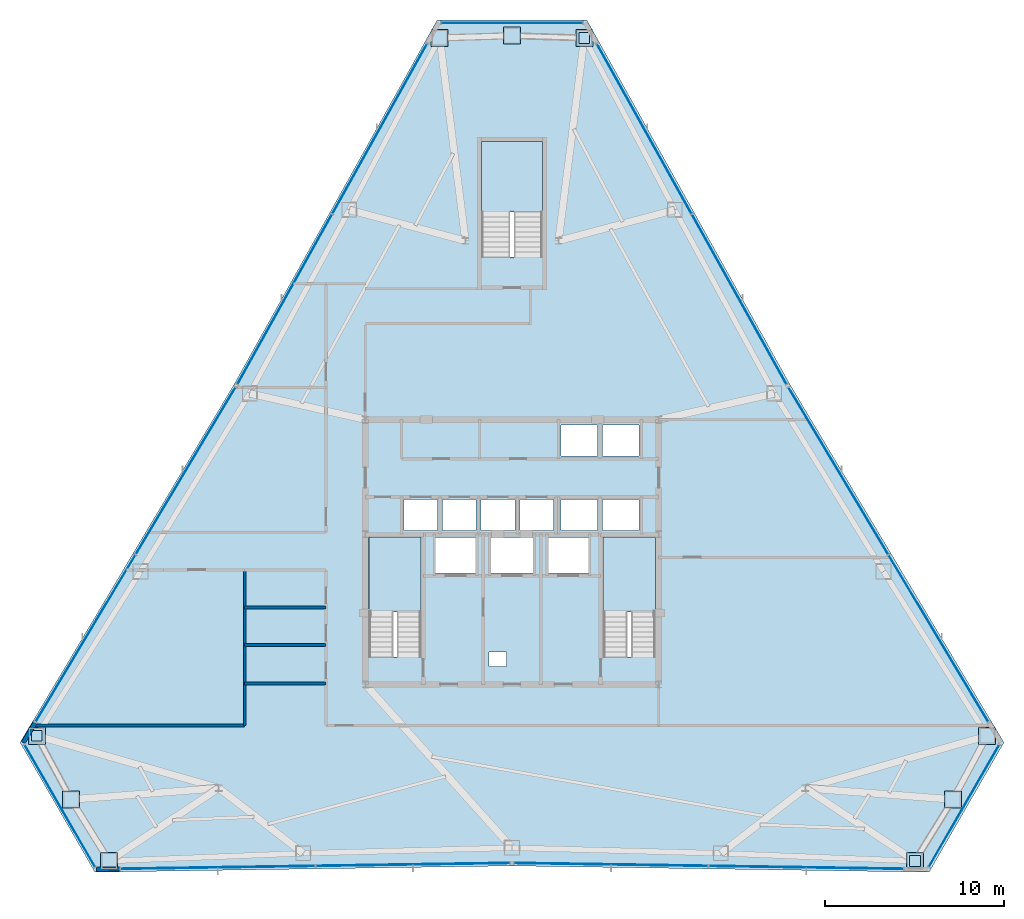
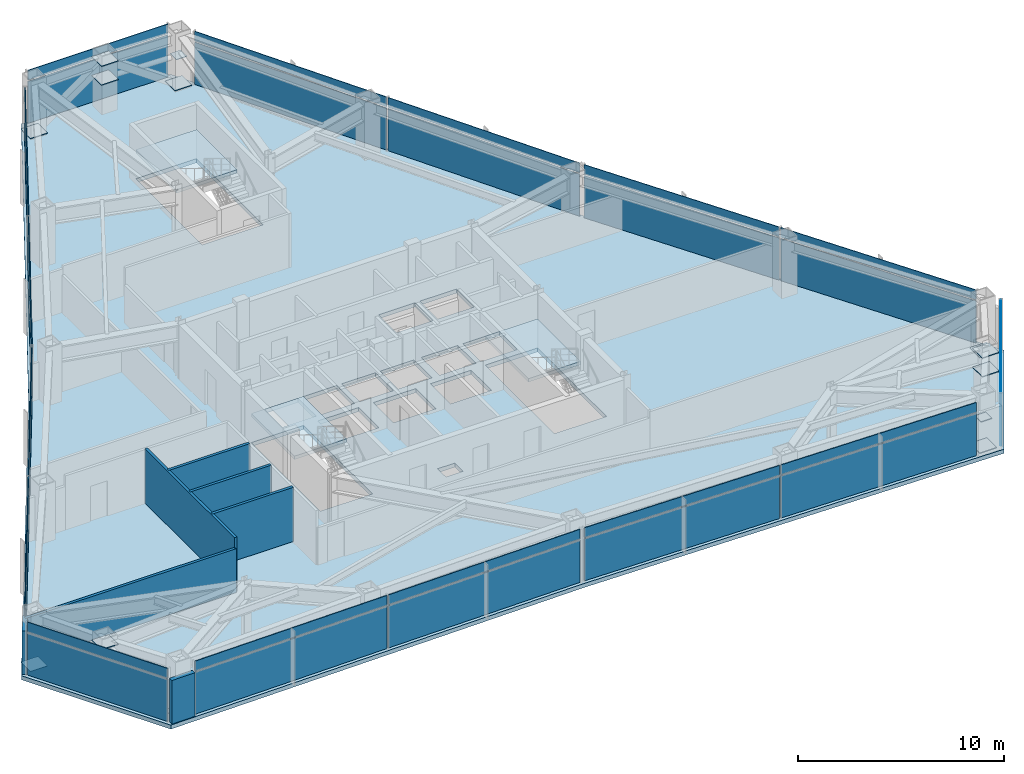
# One storey, part 9 of 13: 45 plates, 7 walls, 4 slabs, 12 elements without a shape of their own.
"""IFC4 building model written with IfcOpenShell, lengths in metres."""

from ifc_helpers import new_model, si_unit, direction, frame, frame_2d, origin, origin_2d, place, context, subcontext, project, spatial, polyline, rectangle, outline, extrude, source, transform, mapped, material, layer, layer_set, type_object, type_shapes, element, aggregate, save


model = new_model("IFC4")

# Units and contexts
model_context = context("Model", 3, precision=1e-05, world=origin(), true_north=direction((0.0, 1.0)))
body_context = subcontext(model_context, "Body", "Model", "MODEL_VIEW")
ifc_project = project(units=[si_unit("LENGTHUNIT", "METRE"), si_unit("AREAUNIT", "SQUARE_METRE"), si_unit("VOLUMEUNIT", "CUBIC_METRE"), si_unit("PLANEANGLEUNIT", "RADIAN"), si_unit("MASSUNIT", "GRAM", prefix="KILO")], contexts=[model_context])

# Site, building, storey
site_placement = place(None, origin())
site = spatial("IfcSite", under=ifc_project, at=site_placement, CompositionType="ELEMENT")
building_placement = place(site_placement, origin())
building = spatial("IfcBuilding", under=site, at=building_placement, Name="Varakhsha Concourse Tower", CompositionType="ELEMENT")
storey_placement = place(building_placement, frame((0.0, 0.0, 147.050048828125)))
storey = spatial("IfcBuildingStorey", under=building, at=storey_placement, Name="L42", CompositionType="ELEMENT", Elevation=147.050048828125)

# Slab
ifc_material_1 = material(Name="Concrete fc 45 MPa", Category="concrete")
ifc_layer_1 = layer(ifc_material_1, 0.239990234375, Name="SL-FLR-240")
ifc_layer_set_1 = layer_set([ifc_layer_1], Name="Concrete fc 45 MPa")
slab_type_1 = type_object("IfcSlabType", Name="SL-FLR-240", PredefinedType="FLOOR", material=ifc_layer_set_1)
slab_1_placement = place(storey_placement, frame((0.0, 0.0, -0.239990234375)))
element("IfcSlab", 1, at=slab_1_placement, inside=storey, type_object=slab_type_1, Name="L42 Composite Structural Slab", PredefinedType="FLOOR", context=body_context, shape_type="SweptSolid", body=[
    extrude(outline(polyline([(44.185791015625, 53.55029296875), (35.814208984375, 53.55029296875), (24.4560546875, 33.17431640625), (12.4892578125, 13.14990234375), (16.6748046875, 5.89990234375), (40.0, 6.25146484375), (63.3251953125, 5.89990234375), (67.5107421875, 13.14990234375), (55.5439453125, 33.17431640625), (44.185791015625, 53.55029296875)]), holes=[polyline([(34.919921875, 17.93994140625), (34.919921875, 24.6298828125), (32.0, 24.6298828125), (32.0, 17.93994140625), (34.919921875, 17.93994140625)]), polyline([(48.02001953125, 17.93994140625), (48.02001953125, 24.6298828125), (45.10009765625, 24.6298828125), (45.10009765625, 17.93994140625), (48.02001953125, 17.93994140625)]), polyline([(41.699951171875, 40.300048828125), (41.699951171875, 46.75), (38.300048828125, 46.75), (38.300048828125, 40.300048828125), (41.699951171875, 40.300048828125)]), polyline([(33.9599609375, 25.0), (35.840087890625, 25.0), (35.840087890625, 26.739990234375), (33.9599609375, 26.739990234375), (33.9599609375, 25.0)]), polyline([(36.1201171875, 25.0), (38.0, 25.0), (38.0, 26.739990234375), (36.1201171875, 26.739990234375), (36.1201171875, 25.0)]), polyline([(38.280029296875, 25.0), (40.159912109375, 25.0), (40.159912109375, 26.739990234375), (38.280029296875, 26.739990234375), (38.280029296875, 25.0)]), polyline([(40.43994140625, 25.0), (42.320068359375, 25.0), (42.320068359375, 26.739990234375), (40.43994140625, 26.739990234375), (40.43994140625, 25.0)]), polyline([(42.739990234375, 29.159912109375), (44.780029296875, 29.159912109375), (44.780029296875, 30.89990234375), (42.739990234375, 30.89990234375), (42.739990234375, 29.159912109375)]), polyline([(45.06005859375, 29.159912109375), (47.10009765625, 29.159912109375), (47.10009765625, 30.89990234375), (45.06005859375, 30.89990234375), (45.06005859375, 29.159912109375)]), polyline([(42.739990234375, 25.0), (44.780029296875, 25.0), (44.780029296875, 26.739990234375), (42.739990234375, 26.739990234375), (42.739990234375, 25.0)]), polyline([(45.06005859375, 25.0), (47.10009765625, 25.0), (47.10009765625, 26.739990234375), (45.06005859375, 26.739990234375), (45.06005859375, 25.0)]), polyline([(35.7099609375, 22.639892578125), (37.989990234375, 22.639892578125), (37.989990234375, 24.60009765625), (35.7099609375, 24.60009765625), (35.7099609375, 22.639892578125)]), polyline([(42.010009765625, 22.639892578125), (44.2900390625, 22.639892578125), (44.2900390625, 24.60009765625), (42.010009765625, 24.60009765625), (42.010009765625, 22.639892578125)]), polyline([(38.81005859375, 22.639892578125), (41.18994140625, 22.639892578125), (41.18994140625, 24.60009765625), (38.81005859375, 24.60009765625), (38.81005859375, 22.639892578125)]), polyline([(38.719970703125, 17.39990234375), (39.679931640625, 17.39990234375), (39.679931640625, 18.199951171875), (38.719970703125, 18.199951171875), (38.719970703125, 17.39990234375)])]), origin(), (0.0, 0.0, 1.0), 0.239990234375),
])

# Stair, slab
stair_type_1 = type_object("IfcStairType", Name="ST-DOGLEG-1360", PredefinedType="HALF_TURN_STAIR", material=ifc_material_1)
stair_1_placement = place(storey_placement, origin())
stair_1 = element("IfcStair", 2, at=stair_1_placement, inside=storey, type_object=stair_type_1, Name="L42 Protected Exit Stair ST1", PredefinedType="HALF_TURN_STAIR")
ifc_layer_2 = layer(ifc_material_1, 0.199951171875, Name="SL-LAND-200")
ifc_layer_set_2 = layer_set([ifc_layer_2], Name="Concrete fc 45 MPa")
slab_type_2 = type_object("IfcSlabType", Name="SL-LAND-200", PredefinedType="LANDING", material=ifc_layer_set_2)
slab_2_placement = place(storey_placement, frame((0.0, 0.0, 1.52490234375)))
slab_2 = element("IfcSlab", 3, at=slab_2_placement, type_object=slab_type_2, Name="ST1 landing 1", PredefinedType="LANDING", context=body_context, shape_type="SweptSolid", body=[
    extrude(outline(polyline([(34.919921875, 20.4599609375), (34.919921875, 24.6298828125), (32.0, 24.6298828125), (32.0, 20.4599609375), (34.919921875, 20.4599609375)])), origin(), (0.0, 0.0, 1.0), 0.199951171875),
])
aggregate(stair_1, [slab_2])

stair_2_placement = place(storey_placement, origin())
stair_2 = element("IfcStair", 4, at=stair_2_placement, inside=storey, type_object=stair_type_1, Name="L42 Protected Exit Stair ST2", PredefinedType="HALF_TURN_STAIR")
slab_3_placement = place(storey_placement, frame((0.0, 0.0, 1.52490234375)))
slab_3 = element("IfcSlab", 5, at=slab_3_placement, type_object=slab_type_2, Name="ST2 landing 1", PredefinedType="LANDING", context=body_context, shape_type="SweptSolid", body=[
    extrude(outline(polyline([(48.02001953125, 20.4599609375), (48.02001953125, 24.6298828125), (45.10009765625, 24.6298828125), (45.10009765625, 20.4599609375), (48.02001953125, 20.4599609375)])), origin(), (0.0, 0.0, 1.0), 0.199951171875),
])
aggregate(stair_2, [slab_3])

stair_type_2 = type_object("IfcStairType", Name="ST-DOGLEG-1600", PredefinedType="HALF_TURN_STAIR", material=ifc_material_1)
stair_3_placement = place(storey_placement, origin())
stair_3 = element("IfcStair", 6, at=stair_3_placement, inside=storey, type_object=stair_type_2, Name="L42 Protected Exit Stair ST5", PredefinedType="HALF_TURN_STAIR")
slab_4_placement = place(storey_placement, frame((0.0, 0.0, 1.52490234375)))
slab_4 = element("IfcSlab", 7, at=slab_4_placement, type_object=slab_type_2, Name="ST5 landing 1", PredefinedType="LANDING", context=body_context, shape_type="SweptSolid", body=[
    extrude(outline(polyline([(41.699951171875, 42.820068359375), (41.699951171875, 46.75), (38.300048828125, 46.75), (38.300048828125, 42.820068359375), (41.699951171875, 42.820068359375)])), origin(), (0.0, 0.0, 1.0), 0.199951171875),
])
aggregate(stair_3, [slab_4])

# Plates
ifc_material_2 = material(Name="Structural Steel ASTM A572 Grade 50", Category="steel")
ifc_layer_3 = layer(ifc_material_2, 0.030029296875, Name="PL-ENDCAP-950")
ifc_layer_set_3 = layer_set([ifc_layer_3], Name="Structural Steel ASTM A572 Grade 50")
plate_type_1 = type_object("IfcPlateType", Name="PL-ENDCAP-950", PredefinedType="USERDEFINED", material=ifc_layer_set_3)
shared_shape_1 = source(origin(), body_context, "Body", "SweptSolid", [
    extrude(rectangle(XDim=0.949951171875, YDim=0.949951171875, at=origin_2d()), origin(), (0.0, 0.0, 1.0), 0.030029296875),
])
type_shapes(plate_type_1, [shared_shape_1])
for number, where, z_axis, x_axis, name in (
    (8, (44.042724609375, 52.54833984375, 0.10498046875), (0.0, 0.0, 1.0), (1.0, 0.0, 0.0), "Hollow Section End Cap GP-NODE-L42-0403"),
    (9, (40.0, 52.670166015625, 2.89501953125), (0.0, 0.0, 1.0), (1.0, 0.0, 0.0), "Hollow Section End Cap GP-NODE-L42-0404"),
    (10, (35.957275390625, 52.54833984375, 0.10498046875), (0.0, 0.0, 1.0), (1.0, 0.0, 0.0), "Hollow Section End Cap GP-NODE-L42-0405"),
    (11, (13.42822265625, 13.527099609375, 0.10498046875), (0.0, 0.0, 1.0), (1.0, 0.0, 0.0), "Hollow Section End Cap GP-NODE-L42-0406"),
    (12, (15.34423828125, 9.96484375, 2.89501953125), (0.0, 0.0, 1.0), (1.0, 0.0, 0.0), "Hollow Section End Cap GP-NODE-L42-0407"),
    (13, (17.47119140625, 6.524658203125, 0.10498046875), (0.0, 0.0, 1.0), (1.0, 0.0, 0.0), "Hollow Section End Cap GP-NODE-L42-0408"),
    (14, (62.52880859375, 6.524658203125, 0.10498046875), (0.0, 0.0, 1.0), (1.0, 0.0, 0.0), "Hollow Section End Cap GP-NODE-L42-0409"),
    (15, (64.65576171875, 9.96484375, 2.89501953125), (0.0, 0.0, 1.0), (1.0, 0.0, 0.0), "Hollow Section End Cap GP-NODE-L42-0410"),
    (16, (66.57177734375, 13.527099609375, 0.10498046875), (0.0, 0.0, 1.0), (1.0, 0.0, 0.0), "Hollow Section End Cap GP-NODE-L42-0411"),
    (17, (40.0, 52.670166015625, 1.78515625), (0.0, 0.0, 1.0), (1.0, 0.0, 0.0), "Hollow Section End Cap GP-NODE-L42-0412"),
    (18, (15.34423828125, 9.96484375, 1.78515625), (0.0, 0.0, 1.0), (1.0, 0.0, 0.0), "Hollow Section End Cap GP-NODE-L42-0413"),
    (19, (64.65576171875, 9.96484375, 1.78515625), (0.0, 0.0, 1.0), (1.0, 0.0, 0.0), "Hollow Section End Cap GP-NODE-L42-0414"),
):
    element("IfcPlate", number, at=place(storey_placement, frame(where, z_axis=z_axis, x_axis=x_axis)), inside=storey, type_object=plate_type_1, Name=name, ObjectType="END PLATE", PredefinedType="USERDEFINED", context=body_context, shape_type="MappedRepresentation", body=[
        mapped(shared_shape_1, transform((0.0, 0.0, 0.0), scale=1.0)),
    ])
ifc_layer_4 = layer(ifc_material_2, 0.030029296875, Name="PL-BASE-600")
ifc_layer_set_4 = layer_set([ifc_layer_4], Name="Structural Steel ASTM A572 Grade 50")
plate_type_2 = type_object("IfcPlateType", Name="PL-BASE-600", PredefinedType="SHEET", material=ifc_layer_set_4)
shared_shape_2 = source(origin(), body_context, "Body", "SweptSolid", [
    extrude(rectangle(XDim=0.60009765625, YDim=0.60009765625, at=origin_2d()), origin(), (0.0, 0.0, 1.0), 0.030029296875),
])
type_shapes(plate_type_2, [shared_shape_2])
for number, where, z_axis, x_axis, name in (
    (20, (44.042724609375, 52.54833984375, 1.78515625), (0.0, 0.0, 1.0), (1.0, 0.0, 0.0), "Hollow Section End Cap BP-WTIE-L42-1"),
    (21, (13.42822265625, 13.527099609375, 1.78515625), (0.0, 0.0, 1.0), (1.0, 0.0, 0.0), "Hollow Section End Cap BP-WTIE-L42-2"),
    (22, (62.52880859375, 6.524658203125, 1.78515625), (0.0, 0.0, 1.0), (1.0, 0.0, 0.0), "Hollow Section End Cap BP-WTIE-L42-3"),
):
    element("IfcPlate", number, at=place(storey_placement, frame(where, z_axis=z_axis, x_axis=x_axis)), inside=storey, type_object=plate_type_2, Name=name, PredefinedType="SHEET", context=body_context, shape_type="MappedRepresentation", body=[
        mapped(shared_shape_2, transform((0.0, 0.0, 0.0), scale=1.0)),
    ])

# Curtain wall, plate
ifc_material_3 = material(Name="Anodised Bronze Architectural Aluminium AA 6063-T6", Category="aluminium")
ifc_layer_5 = layer(ifc_material_3, 0.2099609375, Name="CW-SYS-04")
ifc_layer_set_5 = layer_set([ifc_layer_5], Name="Anodised Bronze Architectural Aluminium AA 6063-T6")
curtain_wall_type = type_object("IfcCurtainWallType", Name="CW-SYS-04", PredefinedType="NOTDEFINED", material=ifc_layer_set_5)
curtain_wall_1_placement = place(storey_placement, origin())
curtain_wall_1 = element("IfcCurtainWall", 23, at=curtain_wall_1_placement, inside=storey, type_object=curtain_wall_type, Name="L42 Crystal Curtain Wall F2", PredefinedType="NOTDEFINED")
ifc_material_4 = material(Name="Low-E Triple Insulating Glass IGU 44 mm", Category="glass")
ifc_layer_6 = layer(ifc_material_4, 0.0439453125, Name="CWP-IGU-44")
ifc_layer_set_6 = layer_set([ifc_layer_6], Name="Low-E Triple Insulating Glass IGU 44 mm")
plate_type_3 = type_object("IfcPlateType", Name="CWP-IGU-44", PredefinedType="CURTAIN_PANEL", material=ifc_layer_set_6)
shared_shape_3 = source(origin(), body_context, "Body", "SweptSolid", [
    extrude(rectangle(XDim=10.834716796875, YDim=0.0439453125, at=origin_2d()), origin(), (0.0, 0.0, 1.0), 2.490966796875),
])
plate_1_placement = place(storey_placement, frame((32.605712890625, 47.465576171875, 0.03466796875), z_axis=(0.0, 0.0, 1.0), x_axis=(0.48689953646, 0.873457979181, 0.0)))
plate_1 = element("IfcPlate", 24, at=plate_1_placement, type_object=plate_type_3, Name="CW-L42-F2 Panel 01-00", PredefinedType="CURTAIN_PANEL", context=body_context, shape_type="MappedRepresentation", body=[
    mapped(shared_shape_3, transform((0.0, 0.0, 0.0), scale=1.0)),
])

curtain_wall_2_placement = place(storey_placement, origin())
curtain_wall_2 = element("IfcCurtainWall", 25, at=curtain_wall_2_placement, inside=storey, type_object=curtain_wall_type, Name="L42 Crystal Curtain Wall F5", PredefinedType="NOTDEFINED")
plate_2_placement = place(storey_placement, frame((23.548583984375, 6.16357421875, 0.03466796875), z_axis=(0.0, 0.0, 1.0), x_axis=(-0.99988654105, -0.015063367057, 0.0)))
plate_2 = element("IfcPlate", 26, at=plate_2_placement, type_object=plate_type_3, Name="CW-L42-F5 Panel 01-00", PredefinedType="CURTAIN_PANEL", context=body_context, shape_type="MappedRepresentation", body=[
    mapped(shared_shape_3, transform((0.0, 0.0, 0.0), scale=1.0)),
])

curtain_wall_3_placement = place(storey_placement, origin())
curtain_wall_3 = element("IfcCurtainWall", 27, at=curtain_wall_3_placement, inside=storey, type_object=curtain_wall_type, Name="L42 Crystal Curtain Wall F6", PredefinedType="NOTDEFINED")
plate_3_placement = place(storey_placement, frame((45.538818359375, 6.327880859375, 0.03466796875), z_axis=(0.0, 0.0, 1.0), x_axis=(-0.99988654105, 0.015063367057, 0.0)))
plate_3 = element("IfcPlate", 28, at=plate_3_placement, type_object=plate_type_3, Name="CW-L42-F6 Panel 01-00", PredefinedType="CURTAIN_PANEL", context=body_context, shape_type="MappedRepresentation", body=[
    mapped(shared_shape_3, transform((0.0, 0.0, 0.0), scale=1.0)),
])

curtain_wall_4_placement = place(storey_placement, origin())
curtain_wall_4 = element("IfcCurtainWall", 29, at=curtain_wall_4_placement, inside=storey, type_object=curtain_wall_type, Name="L42 Crystal Curtain Wall F9", PredefinedType="NOTDEFINED")
plate_4_placement = place(storey_placement, frame((52.708251953125, 37.9326171875, 0.03466796875), z_axis=(0.0, 0.0, 1.0), x_axis=(0.48689953646, -0.873457979181, 0.0)))
plate_4 = element("IfcPlate", 30, at=plate_4_placement, type_object=plate_type_3, Name="CW-L42-F9 Panel 01-00", PredefinedType="CURTAIN_PANEL", context=body_context, shape_type="MappedRepresentation", body=[
    mapped(shared_shape_3, transform((0.0, 0.0, 0.0), scale=1.0)),
])

# Plate
ifc_material_5 = material(Name="Glazed Turquoise-Bronze Ceramic Spandrel Panel 38 mm", Category="ceramic")
ifc_layer_7 = layer(ifc_material_5, 0.0380859375, Name="CWP-SPN-38")
ifc_layer_set_7 = layer_set([ifc_layer_7], Name="Glazed Turquoise-Bronze Ceramic Spandrel Panel 38 mm")
plate_type_4 = type_object("IfcPlateType", Name="CWP-SPN-38", PredefinedType="USERDEFINED", material=ifc_layer_set_7)
shared_shape_4 = source(origin(), body_context, "Body", "SweptSolid", [
    extrude(rectangle(XDim=10.834716796875, YDim=0.0380859375, at=origin_2d()), origin(), (0.0, 0.0, 1.0), 0.5810546875),
])
plate_5_placement = place(storey_placement, frame((32.605712890625, 47.465576171875, 2.594482421875), z_axis=(0.0, 0.0, 1.0), x_axis=(0.48689953646, 0.873457979181, 0.0)))
plate_5 = element("IfcPlate", 31, at=plate_5_placement, type_object=plate_type_4, Name="CW-L42-F2 Panel 01-01", ObjectType="SPANDREL", PredefinedType="USERDEFINED", context=body_context, shape_type="MappedRepresentation", body=[
    mapped(shared_shape_4, transform((0.0, 0.0, 0.0), scale=1.0)),
])

plate_6_placement = place(storey_placement, frame((23.548583984375, 6.16357421875, 2.594482421875), z_axis=(0.0, 0.0, 1.0), x_axis=(-0.99988654105, -0.015063367057, 0.0)))
plate_6 = element("IfcPlate", 32, at=plate_6_placement, type_object=plate_type_4, Name="CW-L42-F5 Panel 01-01", ObjectType="SPANDREL", PredefinedType="USERDEFINED", context=body_context, shape_type="MappedRepresentation", body=[
    mapped(shared_shape_4, transform((0.0, 0.0, 0.0), scale=1.0)),
])

plate_7_placement = place(storey_placement, frame((45.538818359375, 6.327880859375, 2.594482421875), z_axis=(0.0, 0.0, 1.0), x_axis=(-0.99988654105, 0.015063367057, 0.0)))
plate_7 = element("IfcPlate", 33, at=plate_7_placement, type_object=plate_type_4, Name="CW-L42-F6 Panel 01-01", ObjectType="SPANDREL", PredefinedType="USERDEFINED", context=body_context, shape_type="MappedRepresentation", body=[
    mapped(shared_shape_4, transform((0.0, 0.0, 0.0), scale=1.0)),
])

plate_8_placement = place(storey_placement, frame((52.708251953125, 37.9326171875, 2.594482421875), z_axis=(0.0, 0.0, 1.0), x_axis=(0.48689953646, -0.873457979181, 0.0)))
plate_8 = element("IfcPlate", 34, at=plate_8_placement, type_object=plate_type_4, Name="CW-L42-F9 Panel 01-01", ObjectType="SPANDREL", PredefinedType="USERDEFINED", context=body_context, shape_type="MappedRepresentation", body=[
    mapped(shared_shape_4, transform((0.0, 0.0, 0.0), scale=1.0)),
])

shared_shape_5 = source(origin(), body_context, "Body", "SweptSolid", [
    extrude(rectangle(XDim=10.8349609375, YDim=0.0439453125, at=origin_2d()), origin(), (0.0, 0.0, 1.0), 2.490966796875),
])
type_shapes(plate_type_3, [shared_shape_3, shared_shape_5])
plate_9_placement = place(storey_placement, frame((27.291748046875, 37.9326171875, 0.03466796875), z_axis=(0.0, 0.0, 1.0), x_axis=(0.48689953646, 0.873457979181, 0.0)))
plate_9 = element("IfcPlate", 35, at=plate_9_placement, type_object=plate_type_3, Name="CW-L42-F2 Panel 00-00", PredefinedType="CURTAIN_PANEL", context=body_context, shape_type="MappedRepresentation", body=[
    mapped(shared_shape_5, transform((0.0, 0.0, 0.0), scale=1.0)),
])

# Curtain wall, plates
curtain_wall_5_placement = place(storey_placement, origin())
curtain_wall_5 = element("IfcCurtainWall", 36, at=curtain_wall_5_placement, inside=storey, type_object=curtain_wall_type, Name="L42 Crystal Curtain Wall F3", PredefinedType="NOTDEFINED")
plate_10_placement = place(storey_placement, frame((16.154296875, 18.970947265625, 0.03466796875), z_axis=(0.0, 0.0, 1.0), x_axis=(0.512984034508, 0.858398147913, 0.0)))
plate_10 = element("IfcPlate", 37, at=plate_10_placement, type_object=plate_type_3, Name="CW-L42-F3 Panel 00-00", PredefinedType="CURTAIN_PANEL", context=body_context, shape_type="MappedRepresentation", body=[
    mapped(shared_shape_5, transform((0.0, 0.0, 0.0), scale=1.0)),
])
plate_11_placement = place(storey_placement, frame((21.7529296875, 28.33935546875, 0.03466796875), z_axis=(0.0, 0.0, 1.0), x_axis=(0.512984034508, 0.858398147913, 0.0)))
plate_11 = element("IfcPlate", 38, at=plate_11_placement, type_object=plate_type_3, Name="CW-L42-F3 Panel 01-00", PredefinedType="CURTAIN_PANEL", context=body_context, shape_type="MappedRepresentation", body=[
    mapped(shared_shape_5, transform((0.0, 0.0, 0.0), scale=1.0)),
])

# Plate
plate_12_placement = place(storey_placement, frame((34.461181640625, 6.327880859375, 0.03466796875), z_axis=(0.0, 0.0, 1.0), x_axis=(-0.99988654105, -0.015063367057, 0.0)))
plate_12 = element("IfcPlate", 39, at=plate_12_placement, type_object=plate_type_3, Name="CW-L42-F5 Panel 00-00", PredefinedType="CURTAIN_PANEL", context=body_context, shape_type="MappedRepresentation", body=[
    mapped(shared_shape_5, transform((0.0, 0.0, 0.0), scale=1.0)),
])

plate_13_placement = place(storey_placement, frame((56.451416015625, 6.16357421875, 0.03466796875), z_axis=(0.0, 0.0, 1.0), x_axis=(-0.99988654105, 0.015063367057, 0.0)))
plate_13 = element("IfcPlate", 40, at=plate_13_placement, type_object=plate_type_3, Name="CW-L42-F6 Panel 00-00", PredefinedType="CURTAIN_PANEL", context=body_context, shape_type="MappedRepresentation", body=[
    mapped(shared_shape_5, transform((0.0, 0.0, 0.0), scale=1.0)),
])

# Curtain wall, plates
curtain_wall_6_placement = place(storey_placement, origin())
curtain_wall_6 = element("IfcCurtainWall", 41, at=curtain_wall_6_placement, inside=storey, type_object=curtain_wall_type, Name="L42 Crystal Curtain Wall F8", PredefinedType="NOTDEFINED")
plate_14_placement = place(storey_placement, frame((58.2470703125, 28.33935546875, 0.03466796875), z_axis=(0.0, 0.0, 1.0), x_axis=(0.512984034508, -0.858398147913, 0.0)))
plate_14 = element("IfcPlate", 42, at=plate_14_placement, type_object=plate_type_3, Name="CW-L42-F8 Panel 00-00", PredefinedType="CURTAIN_PANEL", context=body_context, shape_type="MappedRepresentation", body=[
    mapped(shared_shape_5, transform((0.0, 0.0, 0.0), scale=1.0)),
])
plate_15_placement = place(storey_placement, frame((63.845703125, 18.970947265625, 0.03466796875), z_axis=(0.0, 0.0, 1.0), x_axis=(0.512984034508, -0.858398147913, 0.0)))
plate_15 = element("IfcPlate", 43, at=plate_15_placement, type_object=plate_type_3, Name="CW-L42-F8 Panel 01-00", PredefinedType="CURTAIN_PANEL", context=body_context, shape_type="MappedRepresentation", body=[
    mapped(shared_shape_5, transform((0.0, 0.0, 0.0), scale=1.0)),
])

# Plate
plate_16_placement = place(storey_placement, frame((47.394287109375, 47.465576171875, 0.03466796875), z_axis=(0.0, 0.0, 1.0), x_axis=(0.48689953646, -0.873457979181, 0.0)))
plate_16 = element("IfcPlate", 44, at=plate_16_placement, type_object=plate_type_3, Name="CW-L42-F9 Panel 00-00", PredefinedType="CURTAIN_PANEL", context=body_context, shape_type="MappedRepresentation", body=[
    mapped(shared_shape_5, transform((0.0, 0.0, 0.0), scale=1.0)),
])

shared_shape_6 = source(origin(), body_context, "Body", "SweptSolid", [
    extrude(rectangle(XDim=10.8349609375, YDim=0.0380859375, at=origin_2d()), origin(), (0.0, 0.0, 1.0), 0.5810546875),
])
plate_17_placement = place(storey_placement, frame((27.291748046875, 37.9326171875, 2.594482421875), z_axis=(0.0, 0.0, 1.0), x_axis=(0.48689953646, 0.873457979181, 0.0)))
plate_17 = element("IfcPlate", 45, at=plate_17_placement, type_object=plate_type_4, Name="CW-L42-F2 Panel 00-01", ObjectType="SPANDREL", PredefinedType="USERDEFINED", context=body_context, shape_type="MappedRepresentation", body=[
    mapped(shared_shape_6, transform((0.0, 0.0, 0.0), scale=1.0)),
])

aggregate(curtain_wall_1, [plate_9, plate_17, plate_1, plate_5])

plate_18_placement = place(storey_placement, frame((16.154296875, 18.970947265625, 2.594482421875), z_axis=(0.0, 0.0, 1.0), x_axis=(0.512984034508, 0.858398147913, 0.0)))
plate_18 = element("IfcPlate", 46, at=plate_18_placement, type_object=plate_type_4, Name="CW-L42-F3 Panel 00-01", ObjectType="SPANDREL", PredefinedType="USERDEFINED", context=body_context, shape_type="MappedRepresentation", body=[
    mapped(shared_shape_6, transform((0.0, 0.0, 0.0), scale=1.0)),
])

plate_19_placement = place(storey_placement, frame((21.7529296875, 28.33935546875, 2.594482421875), z_axis=(0.0, 0.0, 1.0), x_axis=(0.512984034508, 0.858398147913, 0.0)))
plate_19 = element("IfcPlate", 47, at=plate_19_placement, type_object=plate_type_4, Name="CW-L42-F3 Panel 01-01", ObjectType="SPANDREL", PredefinedType="USERDEFINED", context=body_context, shape_type="MappedRepresentation", body=[
    mapped(shared_shape_6, transform((0.0, 0.0, 0.0), scale=1.0)),
])

aggregate(curtain_wall_5, [plate_10, plate_18, plate_11, plate_19])

plate_20_placement = place(storey_placement, frame((34.461181640625, 6.327880859375, 2.594482421875), z_axis=(0.0, 0.0, 1.0), x_axis=(-0.99988654105, -0.015063367057, 0.0)))
plate_20 = element("IfcPlate", 48, at=plate_20_placement, type_object=plate_type_4, Name="CW-L42-F5 Panel 00-01", ObjectType="SPANDREL", PredefinedType="USERDEFINED", context=body_context, shape_type="MappedRepresentation", body=[
    mapped(shared_shape_6, transform((0.0, 0.0, 0.0), scale=1.0)),
])

aggregate(curtain_wall_2, [plate_12, plate_20, plate_2, plate_6])

plate_21_placement = place(storey_placement, frame((56.451416015625, 6.16357421875, 2.594482421875), z_axis=(0.0, 0.0, 1.0), x_axis=(-0.99988654105, 0.015063367057, 0.0)))
plate_21 = element("IfcPlate", 49, at=plate_21_placement, type_object=plate_type_4, Name="CW-L42-F6 Panel 00-01", ObjectType="SPANDREL", PredefinedType="USERDEFINED", context=body_context, shape_type="MappedRepresentation", body=[
    mapped(shared_shape_6, transform((0.0, 0.0, 0.0), scale=1.0)),
])

aggregate(curtain_wall_3, [plate_13, plate_21, plate_3, plate_7])

plate_22_placement = place(storey_placement, frame((58.2470703125, 28.33935546875, 2.594482421875), z_axis=(0.0, 0.0, 1.0), x_axis=(0.512984034508, -0.858398147913, 0.0)))
plate_22 = element("IfcPlate", 50, at=plate_22_placement, type_object=plate_type_4, Name="CW-L42-F8 Panel 00-01", ObjectType="SPANDREL", PredefinedType="USERDEFINED", context=body_context, shape_type="MappedRepresentation", body=[
    mapped(shared_shape_6, transform((0.0, 0.0, 0.0), scale=1.0)),
])

plate_23_placement = place(storey_placement, frame((63.845703125, 18.970947265625, 2.594482421875), z_axis=(0.0, 0.0, 1.0), x_axis=(0.512984034508, -0.858398147913, 0.0)))
plate_23 = element("IfcPlate", 51, at=plate_23_placement, type_object=plate_type_4, Name="CW-L42-F8 Panel 01-01", ObjectType="SPANDREL", PredefinedType="USERDEFINED", context=body_context, shape_type="MappedRepresentation", body=[
    mapped(shared_shape_6, transform((0.0, 0.0, 0.0), scale=1.0)),
])

aggregate(curtain_wall_6, [plate_14, plate_22, plate_15, plate_23])

plate_24_placement = place(storey_placement, frame((47.394287109375, 47.465576171875, 2.594482421875), z_axis=(0.0, 0.0, 1.0), x_axis=(0.48689953646, -0.873457979181, 0.0)))
plate_24 = element("IfcPlate", 52, at=plate_24_placement, type_object=plate_type_4, Name="CW-L42-F9 Panel 00-01", ObjectType="SPANDREL", PredefinedType="USERDEFINED", context=body_context, shape_type="MappedRepresentation", body=[
    mapped(shared_shape_6, transform((0.0, 0.0, 0.0), scale=1.0)),
])

aggregate(curtain_wall_4, [plate_16, plate_24, plate_4, plate_8])

# Curtain wall, plate
curtain_wall_7_placement = place(storey_placement, origin())
curtain_wall_7 = element("IfcCurtainWall", 53, at=curtain_wall_7_placement, inside=storey, type_object=curtain_wall_type, Name="L42 Chamfer Curtain Wall F1", PredefinedType="NOTDEFINED")
ifc_material_6 = material(Name="Insulated Anodised Bronze Aluminium Spandrel 36 mm", Category="aluminium")
ifc_layer_8 = layer(ifc_material_6, 0.035888671875, Name="CWP-SPN-36")
ifc_layer_set_8 = layer_set([ifc_layer_8], Name="Insulated Anodised Bronze Aluminium Spandrel 36 mm")
plate_type_5 = type_object("IfcPlateType", Name="CWP-SPN-36", PredefinedType="USERDEFINED", material=ifc_layer_set_8)
shared_shape_7 = source(origin(), body_context, "Body", "SweptSolid", [
    extrude(rectangle(XDim=7.852294921875, YDim=0.035888671875, at=origin_2d()), origin(), (0.0, 0.0, 1.0), 2.490966796875),
])
type_shapes(plate_type_5, [shared_shape_7])
plate_25_placement = place(storey_placement, frame((40.0, 53.39013671875, 0.03466796875), z_axis=(0.0, 0.0, 1.0), x_axis=(1.0, 0.0, 0.0)))
plate_25 = element("IfcPlate", 54, at=plate_25_placement, type_object=plate_type_5, Name="CW-L42-F1 Panel 00-00", ObjectType="SPANDREL", PredefinedType="USERDEFINED", context=body_context, shape_type="MappedRepresentation", body=[
    mapped(shared_shape_7, transform((0.0, 0.0, 0.0), scale=1.0)),
])

curtain_wall_8_placement = place(storey_placement, origin())
curtain_wall_8 = element("IfcCurtainWall", 55, at=curtain_wall_8_placement, inside=storey, type_object=curtain_wall_type, Name="L42 Chamfer Curtain Wall F4", PredefinedType="NOTDEFINED")
plate_26_placement = place(storey_placement, frame((14.720703125, 9.60498046875, 0.03466796875), z_axis=(0.0, 0.0, 1.0), x_axis=(-0.5, 0.866025403784, 0.0)))
plate_26 = element("IfcPlate", 56, at=plate_26_placement, type_object=plate_type_5, Name="CW-L42-F4 Panel 00-00", ObjectType="SPANDREL", PredefinedType="USERDEFINED", context=body_context, shape_type="MappedRepresentation", body=[
    mapped(shared_shape_7, transform((0.0, 0.0, 0.0), scale=1.0)),
])

curtain_wall_9_placement = place(storey_placement, origin())
curtain_wall_9 = element("IfcCurtainWall", 57, at=curtain_wall_9_placement, inside=storey, type_object=curtain_wall_type, Name="L42 Chamfer Curtain Wall F7", PredefinedType="NOTDEFINED")
plate_27_placement = place(storey_placement, frame((65.279296875, 9.60498046875, 0.03466796875), z_axis=(0.0, 0.0, 1.0), x_axis=(-0.5, -0.866025403784, 0.0)))
plate_27 = element("IfcPlate", 58, at=plate_27_placement, type_object=plate_type_5, Name="CW-L42-F7 Panel 00-00", ObjectType="SPANDREL", PredefinedType="USERDEFINED", context=body_context, shape_type="MappedRepresentation", body=[
    mapped(shared_shape_7, transform((0.0, 0.0, 0.0), scale=1.0)),
])

# Plate
shared_shape_8 = source(origin(), body_context, "Body", "SweptSolid", [
    extrude(rectangle(XDim=7.852294921875, YDim=0.0380859375, at=origin_2d()), origin(), (0.0, 0.0, 1.0), 0.5810546875),
])
type_shapes(plate_type_4, [shared_shape_4, shared_shape_6, shared_shape_8])
plate_28_placement = place(storey_placement, frame((40.0, 53.39013671875, 2.594482421875), z_axis=(0.0, 0.0, 1.0), x_axis=(1.0, 0.0, 0.0)))
plate_28 = element("IfcPlate", 59, at=plate_28_placement, type_object=plate_type_4, Name="CW-L42-F1 Panel 00-01", ObjectType="SPANDREL", PredefinedType="USERDEFINED", context=body_context, shape_type="MappedRepresentation", body=[
    mapped(shared_shape_8, transform((0.0, 0.0, 0.0), scale=1.0)),
])

aggregate(curtain_wall_7, [plate_25, plate_28])

plate_29_placement = place(storey_placement, frame((14.720703125, 9.60498046875, 2.594482421875), z_axis=(0.0, 0.0, 1.0), x_axis=(-0.5, 0.866025403784, 0.0)))
plate_29 = element("IfcPlate", 60, at=plate_29_placement, type_object=plate_type_4, Name="CW-L42-F4 Panel 00-01", ObjectType="SPANDREL", PredefinedType="USERDEFINED", context=body_context, shape_type="MappedRepresentation", body=[
    mapped(shared_shape_8, transform((0.0, 0.0, 0.0), scale=1.0)),
])

aggregate(curtain_wall_8, [plate_26, plate_29])

plate_30_placement = place(storey_placement, frame((65.279296875, 9.60498046875, 2.594482421875), z_axis=(0.0, 0.0, 1.0), x_axis=(-0.5, -0.866025403784, 0.0)))
plate_30 = element("IfcPlate", 61, at=plate_30_placement, type_object=plate_type_4, Name="CW-L42-F7 Panel 00-01", ObjectType="SPANDREL", PredefinedType="USERDEFINED", context=body_context, shape_type="MappedRepresentation", body=[
    mapped(shared_shape_8, transform((0.0, 0.0, 0.0), scale=1.0)),
])

aggregate(curtain_wall_9, [plate_27, plate_30])

# Walls
ifc_layer_9 = layer(ifc_material_1, 0.239990234375, Name="WL-EXT-CRN-240")
ifc_layer_set_9 = layer_set([ifc_layer_9], Name="Concrete fc 45 MPa")
wall_type_1 = type_object("IfcWallType", Name="WL-EXT-CRN-240", PredefinedType="SHEAR", material=ifc_layer_set_9)
wall_1_placement = place(storey_placement, frame((13.335693359375, 14.25439453125, 0.0), z_axis=(0.0, 0.0, 1.0), x_axis=(-0.513024934393, -0.858373704567, 0.0)))
element("IfcWall", 62, at=wall_1_placement, inside=storey, type_object=wall_type_1, Name="L42 Wind-Corner Shoulder Wall F3", PredefinedType="SHEAR", context=body_context, shape_type="SweptSolid", body=[
    extrude(rectangle(XDim=1.29443359375, YDim=0.239990234375, at=frame_2d((0.647216796875, 0.0))), origin(), (0.0, 0.0, 1.0), 2.5830078125),
])
wall_2_placement = place(storey_placement, frame((16.760498046875, 6.061279296875, 0.0), z_axis=(0.0, 0.0, 1.0), x_axis=(0.999886185818, 0.015086928492, 0.0)))
element("IfcWall", 63, at=wall_2_placement, inside=storey, type_object=wall_type_1, Name="L42 Wind-Corner Shoulder Wall F5", PredefinedType="SHEAR", context=body_context, shape_type="SweptSolid", body=[
    extrude(rectangle(XDim=1.294677734375, YDim=0.239990234375, at=frame_2d((0.6474609375, 0.0))), origin(), (0.0, 0.0, 1.0), 2.5830078125),
])
ifc_material_7 = material(Name="Fire-Rated Type X Gypsum Partition Assembly", Category="gypsum")
ifc_layer_10 = layer(ifc_material_7, 0.14990234375, Name="WL-PART-150")
ifc_layer_set_10 = layer_set([ifc_layer_10], Name="Fire-Rated Type X Gypsum Partition Assembly")
wall_type_2 = type_object("IfcWallType", Name="WL-PART-150", PredefinedType="PARTITIONING", material=ifc_layer_set_10)
wall_3_placement = place(storey_placement, frame((25.050048828125, 14.10009765625, 0.0), z_axis=(0.0, 0.0, 1.0), x_axis=(0.0, 1.0, 0.0)))
element("IfcWall", 64, at=wall_3_placement, inside=storey, type_object=wall_type_2, Name="L42 Wall C2WC-W-L42", PredefinedType="PARTITIONING", context=body_context, shape_type="SweptSolid", body=[
    extrude(rectangle(XDim=8.699951171875, YDim=0.14990234375, at=frame_2d((4.35009765625, 0.0))), origin(), (0.0, 0.0, 1.0), 3.2099609375),
])
for number, where, z_axis, x_axis, name in (
    (65, (25.050048828125, 16.449951171875, 0.0), (0.0, 0.0, 1.0), (1.0, 0.0, 0.0), "L42 Wall C2WC-S-L42"),
    (66, (25.050048828125, 18.60009765625, 0.0), (0.0, 0.0, 1.0), (1.0, 0.0, 0.0), "L42 Wall C2WC-D1-L42"),
    (67, (25.050048828125, 20.699951171875, 0.0), (0.0, 0.0, 1.0), (1.0, 0.0, 0.0), "L42 Wall C2WC-D2-L42"),
):
    element("IfcWall", number, at=place(storey_placement, frame(where, z_axis=z_axis, x_axis=x_axis)), inside=storey, type_object=wall_type_2, Name=name, PredefinedType="PARTITIONING", context=body_context, shape_type="SweptSolid", body=[
        extrude(rectangle(XDim=4.550048828125, YDim=0.14990234375, at=frame_2d((2.27490234375, 0.0))), origin(), (0.0, 0.0, 1.0), 3.2099609375),
    ])
wall_4_placement = place(storey_placement, frame((13.249267578125, 14.10009765625, 0.0), z_axis=(0.0, 0.0, 1.0), x_axis=(1.0, 0.0, 0.0)))
element("IfcWall", 68, at=wall_4_placement, inside=storey, type_object=wall_type_2, Name="L42 Wall ODIV-SWB-L42", PredefinedType="PARTITIONING", context=body_context, shape_type="SweptSolid", body=[
    extrude(rectangle(XDim=11.80078125, YDim=0.14990234375, at=frame_2d((5.900390625, 0.0))), origin(), (0.0, 0.0, 1.0), 2.5888671875),
])

save(model, "model.ifc")
